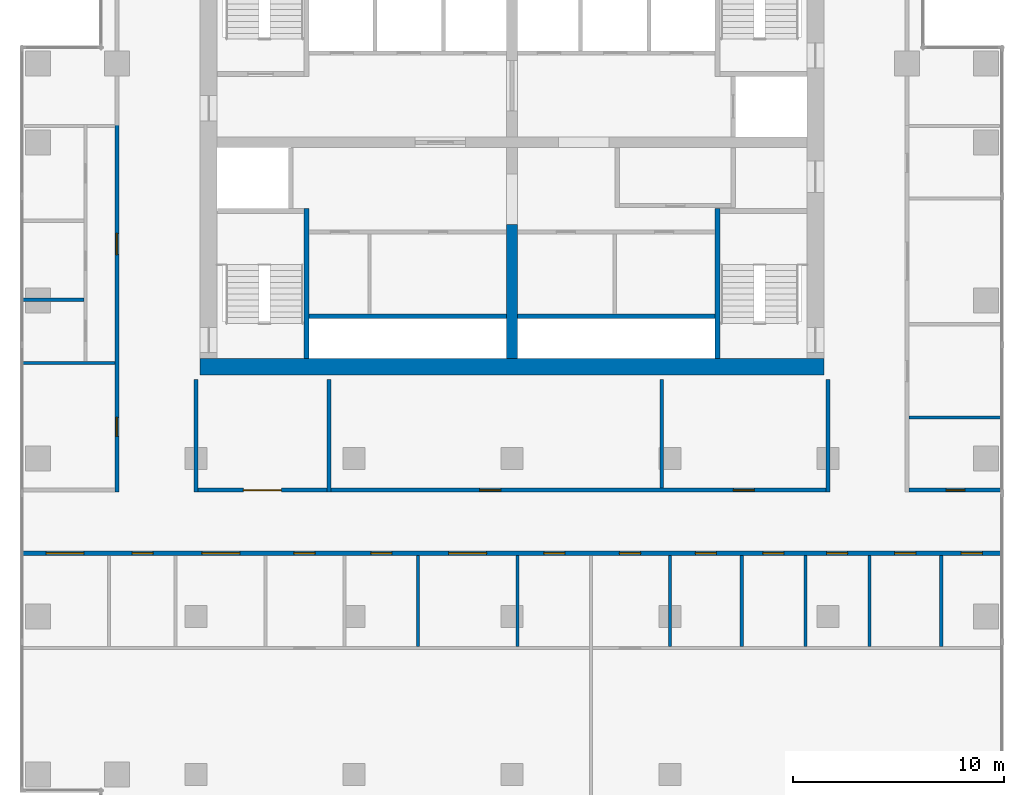
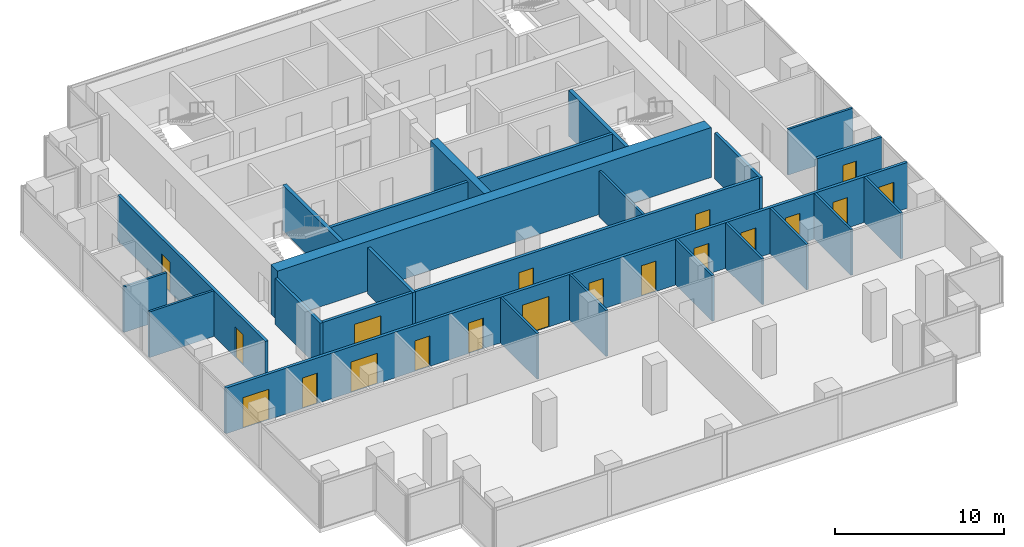
# One storey, part 7 of 10: 25 walls, 19 doors, 19 openings.
"""IFC4 building model written with IfcOpenShell, lengths in metres."""

from ifc_helpers import new_model, si_unit, direction, frame, frame_2d, origin, place, context, subcontext, project, spatial, rectangle, extrude, material, layer, layer_set, type_object, element, fill, save


model = new_model("IFC4")

# Units and contexts
model_context = context("Model", 3, precision=1e-05, world=origin(), true_north=direction((0.0, 1.0)))
body_context = subcontext(model_context, "Body", "Model", "MODEL_VIEW")
ifc_project = project(units=[si_unit("LENGTHUNIT", "METRE"), si_unit("AREAUNIT", "SQUARE_METRE"), si_unit("VOLUMEUNIT", "CUBIC_METRE"), si_unit("PLANEANGLEUNIT", "RADIAN"), si_unit("MASSUNIT", "GRAM", prefix="KILO")], contexts=[model_context])

# Site, building, storey
site_placement = place(None, origin())
site = spatial("IfcSite", under=ifc_project, at=site_placement, CompositionType="ELEMENT")
building_placement = place(site_placement, origin())
building = spatial("IfcBuilding", under=site, at=building_placement, Name="Pilkhan Gate Tower", CompositionType="ELEMENT")
storey_placement = place(building_placement, frame((0.0, 0.0, 169.300048828125)))
storey = spatial("IfcBuildingStorey", under=building, at=storey_placement, Name="L43", CompositionType="ELEMENT", Elevation=169.300048828125)

# Wall
ifc_material_1 = material(Name="Concrete C60/75", Category="concrete")
ifc_layer_1 = layer(ifc_material_1, 0.800048828125)
ifc_layer_set_1 = layer_set([ifc_layer_1], Name="Core wall CW800 C60/75")
wall_type_1 = type_object("IfcWallType", Name="Core wall CW800 C60/75", PredefinedType="SHEAR", material=ifc_layer_set_1)
wall_1_placement = place(storey_placement, frame((60.199951171875, 71.85009765625, 0.0), z_axis=(0.0, 0.0, 1.0), x_axis=(1.0, 0.0, 0.0)))
element("IfcWall", 1, at=wall_1_placement, inside=storey, type_object=wall_type_1, Name="Core wall S L43", PredefinedType="SHEAR", context=body_context, shape_type="SweptSolid", body=[
    extrude(rectangle(XDim=29.60009765625, YDim=0.800048828125, at=frame_2d((14.800048828125, 0.0))), origin(), (0.0, 0.0, 1.0), 3.599853515625),
])

# Wall, openings, doors
ifc_material_2 = material(Name="Dense blockwork", Category="masonry")
ifc_layer_2 = layer(ifc_material_2, 0.199951171875)
ifc_layer_set_2 = layer_set([ifc_layer_2], Name="Corridor wall FW200")
wall_type_2 = type_object("IfcWallType", Name="Corridor wall FW200", PredefinedType="PARTITIONING", material=ifc_layer_set_2)
wall_2_placement = place(storey_placement, frame((51.735107421875, 63.0, 0.0), z_axis=(0.0, 0.0, 1.0), x_axis=(1.0, 0.0, 0.0)))
wall_2 = element("IfcWall", 2, at=wall_2_placement, inside=storey, type_object=wall_type_2, Name="Partition L43", PredefinedType="PARTITIONING", context=body_context, shape_type="SweptSolid", body=[
    extrude(rectangle(XDim=46.52978515625, YDim=0.199951171875, at=frame_2d((23.264892578125, 0.0))), origin(), (0.0, 0.0, 1.0), 3.300048828125),
])
opening_1_placement = place(wall_2_placement, frame((12.9150390625, 0.0, 0.0)))
opening_1 = element("IfcOpeningElement", 3, at=opening_1_placement, cuts=wall_2, Name="Opening L43-06", PredefinedType="OPENING", context=body_context, shape_type="SweptSolid", body=[
    extrude(rectangle(XDim=1.0, YDim=2.199951171875, at=frame_2d((0.5, 1.10009765625))), frame((0.0, 0.10986328125, 0.0), z_axis=(0.0, -1.0, 0.0), x_axis=(1.0, 0.0, 0.0)), (0.0, 0.0, 1.0), 0.219970703125),
])
opening_2_placement = place(wall_2_placement, frame((28.364990234375, 0.0, 0.0)))
opening_2 = element("IfcOpeningElement", 4, at=opening_2_placement, cuts=wall_2, Name="Opening L43-07", PredefinedType="OPENING", context=body_context, shape_type="SweptSolid", body=[
    extrude(rectangle(XDim=1.0, YDim=2.199951171875, at=frame_2d((0.5, 1.10009765625))), frame((0.0, 0.10986328125, 0.0), z_axis=(0.0, -1.0, 0.0), x_axis=(1.0, 0.0, 0.0)), (0.0, 0.0, 1.0), 0.219970703125),
])
opening_3_placement = place(wall_2_placement, frame((31.965087890625, 0.0, 0.0)))
opening_3 = element("IfcOpeningElement", 5, at=opening_3_placement, cuts=wall_2, Name="Opening L43-08", PredefinedType="OPENING", context=body_context, shape_type="SweptSolid", body=[
    extrude(rectangle(XDim=1.0, YDim=2.199951171875, at=frame_2d((0.5, 1.10009765625))), frame((0.0, 0.10986328125, 0.0), z_axis=(0.0, -1.0, 0.0), x_axis=(1.0, 0.0, 0.0)), (0.0, 0.0, 1.0), 0.219970703125),
])
opening_4_placement = place(wall_2_placement, frame((41.428955078125, 0.0, 0.0)))
opening_4 = element("IfcOpeningElement", 6, at=opening_4_placement, cuts=wall_2, Name="Opening L43-09", PredefinedType="OPENING", context=body_context, shape_type="SweptSolid", body=[
    extrude(rectangle(XDim=1.0, YDim=2.199951171875, at=frame_2d((0.5, 1.10009765625))), frame((0.0, 0.10986328125, 0.0), z_axis=(0.0, -1.0, 0.0), x_axis=(1.0, 0.0, 0.0)), (0.0, 0.0, 1.0), 0.219970703125),
])
opening_5_placement = place(wall_2_placement, frame((1.14990234375, 0.0, 0.0)))
opening_5 = element("IfcOpeningElement", 7, at=opening_5_placement, cuts=wall_2, Name="Opening L43-18", PredefinedType="OPENING", context=body_context, shape_type="SweptSolid", body=[
    extrude(rectangle(XDim=1.800048828125, YDim=2.199951171875, at=frame_2d((0.89990234375, 1.10009765625))), frame((0.0, 0.10986328125, 0.0), z_axis=(0.0, -1.0, 0.0), x_axis=(1.0, 0.0, 0.0)), (0.0, 0.0, 1.0), 0.219970703125),
])
opening_6_placement = place(wall_2_placement, frame((5.23388671875, 0.0, 0.0)))
opening_6 = element("IfcOpeningElement", 8, at=opening_6_placement, cuts=wall_2, Name="Opening L43-19", PredefinedType="OPENING", context=body_context, shape_type="SweptSolid", body=[
    extrude(rectangle(XDim=1.0, YDim=2.199951171875, at=frame_2d((0.5, 1.10009765625))), frame((0.0, 0.10986328125, 0.0), z_axis=(0.0, -1.0, 0.0), x_axis=(1.0, 0.0, 0.0)), (0.0, 0.0, 1.0), 0.219970703125),
])
opening_7_placement = place(wall_2_placement, frame((8.5458984375, 0.0, 0.0)))
opening_7 = element("IfcOpeningElement", 9, at=opening_7_placement, cuts=wall_2, Name="Opening L43-20", PredefinedType="OPENING", context=body_context, shape_type="SweptSolid", body=[
    extrude(rectangle(XDim=1.800048828125, YDim=2.199951171875, at=frame_2d((0.89990234375, 1.10009765625))), frame((0.0, 0.10986328125, 0.0), z_axis=(0.0, -1.0, 0.0), x_axis=(1.0, 0.0, 0.0)), (0.0, 0.0, 1.0), 0.219970703125),
])
opening_8_placement = place(wall_2_placement, frame((16.56494140625, 0.0, 0.0)))
opening_8 = element("IfcOpeningElement", 10, at=opening_8_placement, cuts=wall_2, Name="Opening L43-21", PredefinedType="OPENING", context=body_context, shape_type="SweptSolid", body=[
    extrude(rectangle(XDim=1.0, YDim=2.199951171875, at=frame_2d((0.5, 1.10009765625))), frame((0.0, 0.10986328125, 0.0), z_axis=(0.0, -1.0, 0.0), x_axis=(1.0, 0.0, 0.0)), (0.0, 0.0, 1.0), 0.219970703125),
])
opening_9_placement = place(wall_2_placement, frame((20.258056640625, 0.0, 0.0)))
opening_9 = element("IfcOpeningElement", 11, at=opening_9_placement, cuts=wall_2, Name="Opening L43-22", PredefinedType="OPENING", context=body_context, shape_type="SweptSolid", body=[
    extrude(rectangle(XDim=1.800048828125, YDim=2.199951171875, at=frame_2d((0.89990234375, 1.10009765625))), frame((0.0, 0.10986328125, 0.0), z_axis=(0.0, -1.0, 0.0), x_axis=(1.0, 0.0, 0.0)), (0.0, 0.0, 1.0), 0.219970703125),
])
opening_10_placement = place(wall_2_placement, frame((24.77197265625, 0.0, 0.0)))
opening_10 = element("IfcOpeningElement", 12, at=opening_10_placement, cuts=wall_2, Name="Opening L43-23", PredefinedType="OPENING", context=body_context, shape_type="SweptSolid", body=[
    extrude(rectangle(XDim=1.0, YDim=2.199951171875, at=frame_2d((0.5, 1.10009765625))), frame((0.0, 0.10986328125, 0.0), z_axis=(0.0, -1.0, 0.0), x_axis=(1.0, 0.0, 0.0)), (0.0, 0.0, 1.0), 0.219970703125),
])
opening_11_placement = place(wall_2_placement, frame((35.172119140625, 0.0, 0.0)))
opening_11 = element("IfcOpeningElement", 13, at=opening_11_placement, cuts=wall_2, Name="Opening L43-25", PredefinedType="OPENING", context=body_context, shape_type="SweptSolid", body=[
    extrude(rectangle(XDim=1.0, YDim=2.199951171875, at=frame_2d((0.5, 1.10009765625))), frame((0.0, 0.10986328125, 0.0), z_axis=(0.0, -1.0, 0.0), x_axis=(1.0, 0.0, 0.0)), (0.0, 0.0, 1.0), 0.219970703125),
])
opening_12_placement = place(wall_2_placement, frame((38.200927734375, 0.0, 0.0)))
opening_12 = element("IfcOpeningElement", 14, at=opening_12_placement, cuts=wall_2, Name="Opening L43-26", PredefinedType="OPENING", context=body_context, shape_type="SweptSolid", body=[
    extrude(rectangle(XDim=1.0, YDim=2.199951171875, at=frame_2d((0.5, 1.10009765625))), frame((0.0, 0.10986328125, 0.0), z_axis=(0.0, -1.0, 0.0), x_axis=(1.0, 0.0, 0.0)), (0.0, 0.0, 1.0), 0.219970703125),
])
opening_13_placement = place(wall_2_placement, frame((44.5859375, 0.0, 0.0)))
opening_13 = element("IfcOpeningElement", 15, at=opening_13_placement, cuts=wall_2, Name="Opening L43-27", PredefinedType="OPENING", context=body_context, shape_type="SweptSolid", body=[
    extrude(rectangle(XDim=1.0, YDim=2.199951171875, at=frame_2d((0.5, 1.10009765625))), frame((0.0, 0.10986328125, 0.0), z_axis=(0.0, -1.0, 0.0), x_axis=(1.0, 0.0, 0.0)), (0.0, 0.0, 1.0), 0.219970703125),
])
ifc_material_3 = material(Name="Timber glazed double door, 30 minute fire resisting", Category="wood")
door_type_1 = type_object("IfcDoorType", Name="Double door D04 1800x2200", OperationType="DOUBLE_DOOR_SINGLE_SWING", PredefinedType="DOOR", material=ifc_material_3)
door_1_placement = place(opening_5_placement, origin())
door_1 = element("IfcDoor", 16, at=door_1_placement, inside=storey, type_object=door_type_1, Name="Double door", OperationType="DOUBLE_DOOR_SINGLE_SWING", OverallHeight=2.199951171875, OverallWidth=1.800048828125, PredefinedType="DOOR", context=body_context, shape_type="SweptSolid", body=[
    extrude(rectangle(XDim=1.800048828125, YDim=2.199951171875, at=frame_2d((0.89990234375, 1.10009765625))), frame((0.0, 0.02490234375, 0.0), z_axis=(0.0, -1.0, 0.0), x_axis=(1.0, 0.0, 0.0)), (0.0, 0.0, 1.0), 0.050048828125),
])
fill(opening_5, door_1)
door_2_placement = place(opening_7_placement, origin())
door_2 = element("IfcDoor", 17, at=door_2_placement, inside=storey, type_object=door_type_1, Name="Double door", OperationType="DOUBLE_DOOR_SINGLE_SWING", OverallHeight=2.199951171875, OverallWidth=1.800048828125, PredefinedType="DOOR", context=body_context, shape_type="SweptSolid", body=[
    extrude(rectangle(XDim=1.800048828125, YDim=2.199951171875, at=frame_2d((0.89990234375, 1.10009765625))), frame((0.0, 0.02490234375, 0.0), z_axis=(0.0, -1.0, 0.0), x_axis=(1.0, 0.0, 0.0)), (0.0, 0.0, 1.0), 0.050048828125),
])
fill(opening_7, door_2)
door_3_placement = place(opening_9_placement, origin())
door_3 = element("IfcDoor", 18, at=door_3_placement, inside=storey, type_object=door_type_1, Name="Double door", OperationType="DOUBLE_DOOR_SINGLE_SWING", OverallHeight=2.199951171875, OverallWidth=1.800048828125, PredefinedType="DOOR", context=body_context, shape_type="SweptSolid", body=[
    extrude(rectangle(XDim=1.800048828125, YDim=2.199951171875, at=frame_2d((0.89990234375, 1.10009765625))), frame((0.0, 0.02490234375, 0.0), z_axis=(0.0, -1.0, 0.0), x_axis=(1.0, 0.0, 0.0)), (0.0, 0.0, 1.0), 0.050048828125),
])
fill(opening_9, door_3)
ifc_material_4 = material(Name="Timber flush door, 30 minute fire resisting", Category="wood")
door_type_2 = type_object("IfcDoorType", Name="Room door D03 1000x2200", OperationType="SINGLE_SWING_LEFT", PredefinedType="DOOR", material=ifc_material_4)
door_4_placement = place(opening_1_placement, origin())
door_4 = element("IfcDoor", 19, at=door_4_placement, inside=storey, type_object=door_type_2, Name="Room door", OperationType="SINGLE_SWING_LEFT", OverallHeight=2.199951171875, OverallWidth=1.0, PredefinedType="DOOR", context=body_context, shape_type="SweptSolid", body=[
    extrude(rectangle(XDim=1.0, YDim=2.199951171875, at=frame_2d((0.5, 1.10009765625))), frame((0.0, 0.02490234375, 0.0), z_axis=(0.0, -1.0, 0.0), x_axis=(1.0, 0.0, 0.0)), (0.0, 0.0, 1.0), 0.050048828125),
])
fill(opening_1, door_4)
door_5_placement = place(opening_2_placement, origin())
door_5 = element("IfcDoor", 20, at=door_5_placement, inside=storey, type_object=door_type_2, Name="Room door", OperationType="SINGLE_SWING_LEFT", OverallHeight=2.199951171875, OverallWidth=1.0, PredefinedType="DOOR", context=body_context, shape_type="SweptSolid", body=[
    extrude(rectangle(XDim=1.0, YDim=2.199951171875, at=frame_2d((0.5, 1.10009765625))), frame((0.0, 0.02490234375, 0.0), z_axis=(0.0, -1.0, 0.0), x_axis=(1.0, 0.0, 0.0)), (0.0, 0.0, 1.0), 0.050048828125),
])
fill(opening_2, door_5)
door_6_placement = place(opening_3_placement, origin())
door_6 = element("IfcDoor", 21, at=door_6_placement, inside=storey, type_object=door_type_2, Name="Room door", OperationType="SINGLE_SWING_RIGHT", OverallHeight=2.199951171875, OverallWidth=1.0, PredefinedType="DOOR", context=body_context, shape_type="SweptSolid", body=[
    extrude(rectangle(XDim=1.0, YDim=2.199951171875, at=frame_2d((0.5, 1.10009765625))), frame((0.0, 0.02490234375, 0.0), z_axis=(0.0, -1.0, 0.0), x_axis=(1.0, 0.0, 0.0)), (0.0, 0.0, 1.0), 0.050048828125),
])
fill(opening_3, door_6)
door_7_placement = place(opening_4_placement, origin())
door_7 = element("IfcDoor", 22, at=door_7_placement, inside=storey, type_object=door_type_2, Name="Room door", OperationType="SINGLE_SWING_LEFT", OverallHeight=2.199951171875, OverallWidth=1.0, PredefinedType="DOOR", context=body_context, shape_type="SweptSolid", body=[
    extrude(rectangle(XDim=1.0, YDim=2.199951171875, at=frame_2d((0.5, 1.10009765625))), frame((0.0, 0.02490234375, 0.0), z_axis=(0.0, -1.0, 0.0), x_axis=(1.0, 0.0, 0.0)), (0.0, 0.0, 1.0), 0.050048828125),
])
fill(opening_4, door_7)
door_8_placement = place(opening_6_placement, origin())
door_8 = element("IfcDoor", 23, at=door_8_placement, inside=storey, type_object=door_type_2, Name="Room door", OperationType="SINGLE_SWING_LEFT", OverallHeight=2.199951171875, OverallWidth=1.0, PredefinedType="DOOR", context=body_context, shape_type="SweptSolid", body=[
    extrude(rectangle(XDim=1.0, YDim=2.199951171875, at=frame_2d((0.5, 1.10009765625))), frame((0.0, 0.02490234375, 0.0), z_axis=(0.0, -1.0, 0.0), x_axis=(1.0, 0.0, 0.0)), (0.0, 0.0, 1.0), 0.050048828125),
])
fill(opening_6, door_8)
door_9_placement = place(opening_8_placement, origin())
door_9 = element("IfcDoor", 24, at=door_9_placement, inside=storey, type_object=door_type_2, Name="Room door", OperationType="SINGLE_SWING_LEFT", OverallHeight=2.199951171875, OverallWidth=1.0, PredefinedType="DOOR", context=body_context, shape_type="SweptSolid", body=[
    extrude(rectangle(XDim=1.0, YDim=2.199951171875, at=frame_2d((0.5, 1.10009765625))), frame((0.0, 0.02490234375, 0.0), z_axis=(0.0, -1.0, 0.0), x_axis=(1.0, 0.0, 0.0)), (0.0, 0.0, 1.0), 0.050048828125),
])
fill(opening_8, door_9)
door_10_placement = place(opening_10_placement, origin())
door_10 = element("IfcDoor", 25, at=door_10_placement, inside=storey, type_object=door_type_2, Name="Room door", OperationType="SINGLE_SWING_RIGHT", OverallHeight=2.199951171875, OverallWidth=1.0, PredefinedType="DOOR", context=body_context, shape_type="SweptSolid", body=[
    extrude(rectangle(XDim=1.0, YDim=2.199951171875, at=frame_2d((0.5, 1.10009765625))), frame((0.0, 0.02490234375, 0.0), z_axis=(0.0, -1.0, 0.0), x_axis=(1.0, 0.0, 0.0)), (0.0, 0.0, 1.0), 0.050048828125),
])
fill(opening_10, door_10)
door_11_placement = place(opening_11_placement, origin())
door_11 = element("IfcDoor", 26, at=door_11_placement, inside=storey, type_object=door_type_2, Name="Room door", OperationType="SINGLE_SWING_LEFT", OverallHeight=2.199951171875, OverallWidth=1.0, PredefinedType="DOOR", context=body_context, shape_type="SweptSolid", body=[
    extrude(rectangle(XDim=1.0, YDim=2.199951171875, at=frame_2d((0.5, 1.10009765625))), frame((0.0, 0.02490234375, 0.0), z_axis=(0.0, -1.0, 0.0), x_axis=(1.0, 0.0, 0.0)), (0.0, 0.0, 1.0), 0.050048828125),
])
fill(opening_11, door_11)
door_12_placement = place(opening_12_placement, origin())
door_12 = element("IfcDoor", 27, at=door_12_placement, inside=storey, type_object=door_type_2, Name="Room door", OperationType="SINGLE_SWING_LEFT", OverallHeight=2.199951171875, OverallWidth=1.0, PredefinedType="DOOR", context=body_context, shape_type="SweptSolid", body=[
    extrude(rectangle(XDim=1.0, YDim=2.199951171875, at=frame_2d((0.5, 1.10009765625))), frame((0.0, 0.02490234375, 0.0), z_axis=(0.0, -1.0, 0.0), x_axis=(1.0, 0.0, 0.0)), (0.0, 0.0, 1.0), 0.050048828125),
])
fill(opening_12, door_12)
door_13_placement = place(opening_13_placement, origin())
door_13 = element("IfcDoor", 28, at=door_13_placement, inside=storey, type_object=door_type_2, Name="Room door", OperationType="SINGLE_SWING_LEFT", OverallHeight=2.199951171875, OverallWidth=1.0, PredefinedType="DOOR", context=body_context, shape_type="SweptSolid", body=[
    extrude(rectangle(XDim=1.0, YDim=2.199951171875, at=frame_2d((0.5, 1.10009765625))), frame((0.0, 0.02490234375, 0.0), z_axis=(0.0, -1.0, 0.0), x_axis=(1.0, 0.0, 0.0)), (0.0, 0.0, 1.0), 0.050048828125),
])
fill(opening_13, door_13)

wall_3_placement = place(storey_placement, frame((66.416015625, 66.0, 0.0), z_axis=(0.0, 0.0, 1.0), x_axis=(1.0, 0.0, 0.0)))
wall_3 = element("IfcWall", 29, at=wall_3_placement, inside=storey, type_object=wall_type_2, Name="Partition L43", PredefinedType="PARTITIONING", context=body_context, shape_type="SweptSolid", body=[
    extrude(rectangle(XDim=23.48388671875, YDim=0.199951171875, at=frame_2d((11.741943359375, 0.0))), origin(), (0.0, 0.0, 1.0), 3.300048828125),
])
opening_14_placement = place(wall_3_placement, frame((7.050048828125, 0.0, 0.0)))
opening_14 = element("IfcOpeningElement", 30, at=opening_14_placement, cuts=wall_3, Name="Opening L43-38", PredefinedType="OPENING", context=body_context, shape_type="SweptSolid", body=[
    extrude(rectangle(XDim=1.0, YDim=2.199951171875, at=frame_2d((0.5, 1.10009765625))), frame((0.0, 0.10986328125, 0.0), z_axis=(0.0, -1.0, 0.0), x_axis=(1.0, 0.0, 0.0)), (0.0, 0.0, 1.0), 0.219970703125),
])
opening_15_placement = place(wall_3_placement, frame((19.089111328125, 0.0, 0.0)))
opening_15 = element("IfcOpeningElement", 31, at=opening_15_placement, cuts=wall_3, Name="Opening L43-39", PredefinedType="OPENING", context=body_context, shape_type="SweptSolid", body=[
    extrude(rectangle(XDim=1.0, YDim=2.199951171875, at=frame_2d((0.5, 1.10009765625))), frame((0.0, 0.10986328125, 0.0), z_axis=(0.0, -1.0, 0.0), x_axis=(1.0, 0.0, 0.0)), (0.0, 0.0, 1.0), 0.219970703125),
])
door_14_placement = place(opening_14_placement, origin())
door_14 = element("IfcDoor", 32, at=door_14_placement, inside=storey, type_object=door_type_2, Name="Room door", OperationType="SINGLE_SWING_LEFT", OverallHeight=2.199951171875, OverallWidth=1.0, PredefinedType="DOOR", context=body_context, shape_type="SweptSolid", body=[
    extrude(rectangle(XDim=1.0, YDim=2.199951171875, at=frame_2d((0.5, 1.10009765625))), frame((0.0, 0.02490234375, 0.0), z_axis=(0.0, -1.0, 0.0), x_axis=(1.0, 0.0, 0.0)), (0.0, 0.0, 1.0), 0.050048828125),
])
fill(opening_14, door_14)
door_15_placement = place(opening_15_placement, origin())
door_15 = element("IfcDoor", 33, at=door_15_placement, inside=storey, type_object=door_type_2, Name="Room door", OperationType="SINGLE_SWING_LEFT", OverallHeight=2.199951171875, OverallWidth=1.0, PredefinedType="DOOR", context=body_context, shape_type="SweptSolid", body=[
    extrude(rectangle(XDim=1.0, YDim=2.199951171875, at=frame_2d((0.5, 1.10009765625))), frame((0.0, 0.02490234375, 0.0), z_axis=(0.0, -1.0, 0.0), x_axis=(1.0, 0.0, 0.0)), (0.0, 0.0, 1.0), 0.050048828125),
])
fill(opening_15, door_15)

# Wall, opening, door
wall_4_placement = place(storey_placement, frame((93.85009765625, 66.0, 0.0), z_axis=(0.0, 0.0, 1.0), x_axis=(1.0, 0.0, 0.0)))
wall_4 = element("IfcWall", 34, at=wall_4_placement, inside=storey, type_object=wall_type_2, Name="Partition L43", PredefinedType="PARTITIONING", context=body_context, shape_type="SweptSolid", body=[
    extrude(rectangle(XDim=4.414794921875, YDim=0.199951171875, at=frame_2d((2.20751953125, 0.0))), origin(), (0.0, 0.0, 1.0), 3.300048828125),
])
opening_16_placement = place(wall_4_placement, frame((1.75, 0.0, 0.0)))
opening_16 = element("IfcOpeningElement", 35, at=opening_16_placement, cuts=wall_4, Name="Opening L43-33", PredefinedType="OPENING", context=body_context, shape_type="SweptSolid", body=[
    extrude(rectangle(XDim=0.89990234375, YDim=2.199951171875, at=frame_2d((0.449951171875, 1.10009765625))), frame((0.0, 0.10986328125, 0.0), z_axis=(0.0, -1.0, 0.0), x_axis=(1.0, 0.0, 0.0)), (0.0, 0.0, 1.0), 0.219970703125),
])
ifc_material_5 = material(Name="Timber flush door, 60 minute fire resisting, self-closing", Category="wood")
door_type_3 = type_object("IfcDoorType", Name="Store door D05 900x2200", OperationType="SINGLE_SWING_LEFT", PredefinedType="DOOR", material=ifc_material_5)
door_16_placement = place(opening_16_placement, origin())
door_16 = element("IfcDoor", 36, at=door_16_placement, inside=storey, type_object=door_type_3, Name="Store door", OperationType="SINGLE_SWING_RIGHT", OverallHeight=2.199951171875, OverallWidth=0.89990234375, PredefinedType="DOOR", context=body_context, shape_type="SweptSolid", body=[
    extrude(rectangle(XDim=0.89990234375, YDim=2.199951171875, at=frame_2d((0.449951171875, 1.10009765625))), frame((0.0, 0.02490234375, 0.0), z_axis=(0.0, -1.0, 0.0), x_axis=(1.0, 0.0, 0.0)), (0.0, 0.0, 1.0), 0.050048828125),
])
fill(opening_16, door_16)

# Wall, openings, doors
wall_5_placement = place(storey_placement, frame((56.25, 65.89990234375, 0.0), z_axis=(0.0, 0.0, 1.0), x_axis=(0.0, 1.0, 0.0)))
wall_5 = element("IfcWall", 37, at=wall_5_placement, inside=storey, type_object=wall_type_2, Name="Partition L43", PredefinedType="PARTITIONING", context=body_context, shape_type="SweptSolid", body=[
    extrude(rectangle(XDim=17.455078125, YDim=0.199951171875, at=frame_2d((8.7275390625, 0.0))), origin(), (0.0, 0.0, 1.0), 3.300048828125),
])
opening_17_placement = place(wall_5_placement, frame((11.280029296875, 0.0, 0.0)))
opening_17 = element("IfcOpeningElement", 38, at=opening_17_placement, cuts=wall_5, Name="Opening L43-10", PredefinedType="OPENING", context=body_context, shape_type="SweptSolid", body=[
    extrude(rectangle(XDim=1.0, YDim=2.199951171875, at=frame_2d((0.5, 1.10009765625))), frame((0.0, 0.10986328125, 0.0), z_axis=(0.0, -1.0, 0.0), x_axis=(1.0, 0.0, 0.0)), (0.0, 0.0, 1.0), 0.219970703125),
])
opening_18_placement = place(wall_5_placement, frame((2.64990234375, 0.0, 0.0)))
opening_18 = element("IfcOpeningElement", 39, at=opening_18_placement, cuts=wall_5, Name="Opening L43-32", PredefinedType="OPENING", context=body_context, shape_type="SweptSolid", body=[
    extrude(rectangle(XDim=0.89990234375, YDim=2.199951171875, at=frame_2d((0.449951171875, 1.10009765625))), frame((0.0, 0.10986328125, 0.0), z_axis=(0.0, -1.0, 0.0), x_axis=(1.0, 0.0, 0.0)), (0.0, 0.0, 1.0), 0.219970703125),
])
door_17_placement = place(opening_17_placement, origin())
door_17 = element("IfcDoor", 40, at=door_17_placement, inside=storey, type_object=door_type_2, Name="Toilet lobby door", OperationType="SINGLE_SWING_LEFT", OverallHeight=2.199951171875, OverallWidth=1.0, PredefinedType="DOOR", context=body_context, shape_type="SweptSolid", body=[
    extrude(rectangle(XDim=1.0, YDim=2.199951171875, at=frame_2d((0.5, 1.10009765625))), frame((0.0, 0.02490234375, 0.0), z_axis=(0.0, -1.0, 0.0), x_axis=(1.0, 0.0, 0.0)), (0.0, 0.0, 1.0), 0.050048828125),
])
fill(opening_17, door_17)
door_18_placement = place(opening_18_placement, origin())
door_18 = element("IfcDoor", 41, at=door_18_placement, inside=storey, type_object=door_type_3, Name="Store door", OperationType="SINGLE_SWING_RIGHT", OverallHeight=2.199951171875, OverallWidth=0.89990234375, PredefinedType="DOOR", context=body_context, shape_type="SweptSolid", body=[
    extrude(rectangle(XDim=0.89990234375, YDim=2.199951171875, at=frame_2d((0.449951171875, 1.10009765625))), frame((0.0, 0.02490234375, 0.0), z_axis=(0.0, -1.0, 0.0), x_axis=(1.0, 0.0, 0.0)), (0.0, 0.0, 1.0), 0.050048828125),
])
fill(opening_18, door_18)

# Wall
wall_6_placement = place(storey_placement, frame((90.0, 65.89990234375, 0.0), z_axis=(0.0, 0.0, 1.0), x_axis=(0.0, 1.0, 0.0)))
element("IfcWall", 42, at=wall_6_placement, inside=storey, type_object=wall_type_2, Name="Partition L43", PredefinedType="PARTITIONING", context=body_context, shape_type="SweptSolid", body=[
    extrude(rectangle(XDim=5.35009765625, YDim=0.199951171875, at=frame_2d((2.675048828125, 0.0))), origin(), (0.0, 0.0, 1.0), 3.300048828125),
])

# Wall, opening, door
ifc_layer_3 = layer(ifc_material_2, 0.199951171875)
ifc_layer_set_3 = layer_set([ifc_layer_3], Name="Lobby wall LW200")
wall_type_3 = type_object("IfcWallType", Name="Lobby wall LW200", PredefinedType="PARTITIONING", material=ifc_layer_set_3)
wall_7_placement = place(storey_placement, frame((60.10009765625, 66.0, 0.0), z_axis=(0.0, 0.0, 1.0), x_axis=(1.0, 0.0, 0.0)))
wall_7 = element("IfcWall", 43, at=wall_7_placement, inside=storey, type_object=wall_type_3, Name="Partition L43", PredefinedType="PARTITIONING", context=body_context, shape_type="SweptSolid", body=[
    extrude(rectangle(XDim=6.115966796875, YDim=0.199951171875, at=frame_2d((3.05810546875, 0.0))), origin(), (0.0, 0.0, 1.0), 3.300048828125),
])
opening_19_placement = place(wall_7_placement, frame((2.14990234375, 0.0, 0.0)))
opening_19 = element("IfcOpeningElement", 44, at=opening_19_placement, cuts=wall_7, Name="Opening L43-37", PredefinedType="OPENING", context=body_context, shape_type="SweptSolid", body=[
    extrude(rectangle(XDim=1.800048828125, YDim=2.39990234375, at=frame_2d((0.89990234375, 1.199951171875))), frame((0.0, 0.10986328125, 0.0), z_axis=(0.0, -1.0, 0.0), x_axis=(1.0, 0.0, 0.0)), (0.0, 0.0, 1.0), 0.219970703125),
])
ifc_material_6 = material(Name="Steel door, 120 minute fire resisting", Category="steel")
door_type_4 = type_object("IfcDoorType", Name="Plant room door D08 1800x2400", OperationType="DOUBLE_DOOR_SINGLE_SWING", PredefinedType="DOOR", material=ifc_material_6)
door_19_placement = place(opening_19_placement, origin())
door_19 = element("IfcDoor", 45, at=door_19_placement, inside=storey, type_object=door_type_4, Name="Plant room door", OperationType="DOUBLE_DOOR_SINGLE_SWING", OverallHeight=2.39990234375, OverallWidth=1.800048828125, PredefinedType="DOOR", context=body_context, shape_type="SweptSolid", body=[
    extrude(rectangle(XDim=1.800048828125, YDim=2.39990234375, at=frame_2d((0.89990234375, 1.199951171875))), frame((0.0, 0.02490234375, 0.0), z_axis=(0.0, -1.0, 0.0), x_axis=(1.0, 0.0, 0.0)), (0.0, 0.0, 1.0), 0.050048828125),
])
fill(opening_19, door_19)

# Walls
for number, where, z_axis, x_axis, name in (
    (46, (65.375, 74.25, 0.0), (0.0, 0.0, 1.0), (1.0, 0.0, 0.0), "Partition L43"),
    (47, (75.260009765625, 74.25, 0.0), (0.0, 0.0, 1.0), (1.0, 0.0, 0.0), "Partition L43"),
):
    element("IfcWall", number, at=place(storey_placement, frame(where, z_axis=z_axis, x_axis=x_axis)), inside=storey, type_object=wall_type_3, Name=name, PredefinedType="PARTITIONING", context=body_context, shape_type="SweptSolid", body=[
        extrude(rectangle(XDim=9.364990234375, YDim=0.199951171875, at=frame_2d((4.6826171875, 0.0))), origin(), (0.0, 0.0, 1.0), 3.300048828125),
    ])
for number, where, z_axis, x_axis, name in (
    (48, (60.0, 65.89990234375, 0.0), (0.0, 0.0, 1.0), (0.0, 1.0, 0.0), "Partition L43"),
    (49, (66.31591796875, 65.89990234375, 0.0), (0.0, 0.0, 1.0), (0.0, 1.0, 0.0), "Partition L43"),
):
    element("IfcWall", number, at=place(storey_placement, frame(where, z_axis=z_axis, x_axis=x_axis)), inside=storey, type_object=wall_type_3, Name=name, PredefinedType="PARTITIONING", context=body_context, shape_type="SweptSolid", body=[
        extrude(rectangle(XDim=5.35009765625, YDim=0.199951171875, at=frame_2d((2.675048828125, 0.0))), origin(), (0.0, 0.0, 1.0), 3.300048828125),
    ])
ifc_material_7 = material(Name="Blockwork partition, plastered both sides", Category="masonry")
ifc_layer_4 = layer(ifc_material_7, 0.14990234375)
ifc_layer_set_4 = layer_set([ifc_layer_4], Name="Partition PW150")
wall_type_4 = type_object("IfcWallType", Name="Partition PW150", PredefinedType="PARTITIONING", material=ifc_layer_set_4)
for number, where, z_axis, x_axis, name in (
    (50, (93.85009765625, 69.447021484375, 0.0), (0.0, 0.0, 1.0), (1.0, 0.0, 0.0), "Partition L43"),
    (51, (51.735107421875, 72.030029296875, 0.0), (0.0, 0.0, 1.0), (1.0, 0.0, 0.0), "Partition L43"),
):
    element("IfcWall", number, at=place(storey_placement, frame(where, z_axis=z_axis, x_axis=x_axis)), inside=storey, type_object=wall_type_4, Name=name, PredefinedType="PARTITIONING", context=body_context, shape_type="SweptSolid", body=[
        extrude(rectangle(XDim=4.414794921875, YDim=0.14990234375, at=frame_2d((2.20751953125, 0.0))), origin(), (0.0, 0.0, 1.0), 3.300048828125),
    ])
wall_8_placement = place(storey_placement, frame((51.735107421875, 75.030029296875, 0.0), z_axis=(0.0, 0.0, 1.0), x_axis=(1.0, 0.0, 0.0)))
element("IfcWall", 52, at=wall_8_placement, inside=storey, type_object=wall_type_4, Name="Partition L43", PredefinedType="PARTITIONING", context=body_context, shape_type="SweptSolid", body=[
    extrude(rectangle(XDim=2.93994140625, YDim=0.14990234375, at=frame_2d((1.469970703125, 0.0))), origin(), (0.0, 0.0, 1.0), 3.300048828125),
])
for number, where, z_axis, x_axis, name in (
    (53, (70.54296875, 58.574951171875, 0.0), (0.0, 0.0, 1.0), (0.0, 1.0, 0.0), "Partition L43"),
    (54, (75.257080078125, 58.574951171875, 0.0), (0.0, 0.0, 1.0), (0.0, 1.0, 0.0), "Partition L43"),
):
    element("IfcWall", number, at=place(storey_placement, frame(where, z_axis=z_axis, x_axis=x_axis)), inside=storey, type_object=wall_type_4, Name=name, PredefinedType="PARTITIONING", context=body_context, shape_type="SweptSolid", body=[
        extrude(rectangle(XDim=4.324951171875, YDim=0.14990234375, at=frame_2d((2.16259765625, 0.0))), origin(), (0.0, 0.0, 1.0), 3.300048828125),
    ])
wall_9_placement = place(storey_placement, frame((82.10498046875, 66.10009765625, 0.0), z_axis=(0.0, 0.0, 1.0), x_axis=(0.0, 1.0, 0.0)))
element("IfcWall", 55, at=wall_9_placement, inside=storey, type_object=wall_type_4, Name="Partition L43", PredefinedType="PARTITIONING", context=body_context, shape_type="SweptSolid", body=[
    extrude(rectangle(XDim=5.14990234375, YDim=0.14990234375, at=frame_2d((2.574951171875, 0.0))), origin(), (0.0, 0.0, 1.0), 3.300048828125),
])
for number, where, z_axis, x_axis, name in (
    (56, (82.5, 58.574951171875, 0.0), (0.0, 0.0, 1.0), (0.0, 1.0, 0.0), "Partition L43"),
    (57, (85.906982421875, 58.574951171875, 0.0), (0.0, 0.0, 1.0), (0.0, 1.0, 0.0), "Partition L43"),
    (58, (88.93603515625, 58.574951171875, 0.0), (0.0, 0.0, 1.0), (0.0, 1.0, 0.0), "Partition L43"),
    (59, (91.964111328125, 58.574951171875, 0.0), (0.0, 0.0, 1.0), (0.0, 1.0, 0.0), "Partition L43"),
    (60, (95.37109375, 58.574951171875, 0.0), (0.0, 0.0, 1.0), (0.0, 1.0, 0.0), "Partition L43"),
):
    element("IfcWall", number, at=place(storey_placement, frame(where, z_axis=z_axis, x_axis=x_axis)), inside=storey, type_object=wall_type_4, Name=name, PredefinedType="PARTITIONING", context=body_context, shape_type="SweptSolid", body=[
        extrude(rectangle(XDim=4.324951171875, YDim=0.14990234375, at=frame_2d((2.16259765625, 0.0))), origin(), (0.0, 0.0, 1.0), 3.300048828125),
    ])
ifc_layer_5 = layer(ifc_material_1, 0.5)
ifc_layer_set_5 = layer_set([ifc_layer_5], Name="Spine wall SW500 C60/75")
wall_type_5 = type_object("IfcWallType", Name="Spine wall SW500 C60/75", PredefinedType="SHEAR", material=ifc_layer_set_5)
wall_10_placement = place(storey_placement, frame((75.0, 72.25, 0.0), z_axis=(0.0, 0.0, 1.0), x_axis=(0.0, 1.0, 0.0)))
element("IfcWall", 61, at=wall_10_placement, inside=storey, type_object=wall_type_5, Name="Spine wall SP-NS-S1 L43", PredefinedType="SHEAR", context=body_context, shape_type="SweptSolid", body=[
    extrude(rectangle(XDim=6.35009765625, YDim=0.5, at=frame_2d((3.175048828125, 0.0))), origin(), (0.0, 0.0, 1.0), 3.599853515625),
])
ifc_material_8 = material(Name="Reinforced blockwork, 120 minute fire resisting", Category="masonry")
ifc_layer_6 = layer(ifc_material_8, 0.25)
ifc_layer_set_6 = layer_set([ifc_layer_6], Name="Stair enclosure wall SE250")
wall_type_6 = type_object("IfcWallType", Name="Stair enclosure wall SE250", PredefinedType="PARTITIONING", material=ifc_layer_set_6)
for number, where, z_axis, x_axis, name in (
    (62, (65.25, 72.25, 0.0), (0.0, 0.0, 1.0), (0.0, 1.0, 0.0), "Partition L43"),
    (63, (84.75, 72.25, 0.0), (0.0, 0.0, 1.0), (0.0, 1.0, 0.0), "Partition L43"),
):
    element("IfcWall", number, at=place(storey_placement, frame(where, z_axis=z_axis, x_axis=x_axis)), inside=storey, type_object=wall_type_6, Name=name, PredefinedType="PARTITIONING", context=body_context, shape_type="SweptSolid", body=[
        extrude(rectangle(XDim=7.125, YDim=0.25, at=frame_2d((3.5625, 0.0))), origin(), (0.0, 0.0, 1.0), 3.300048828125),
    ])

save(model, "model.ifc")
